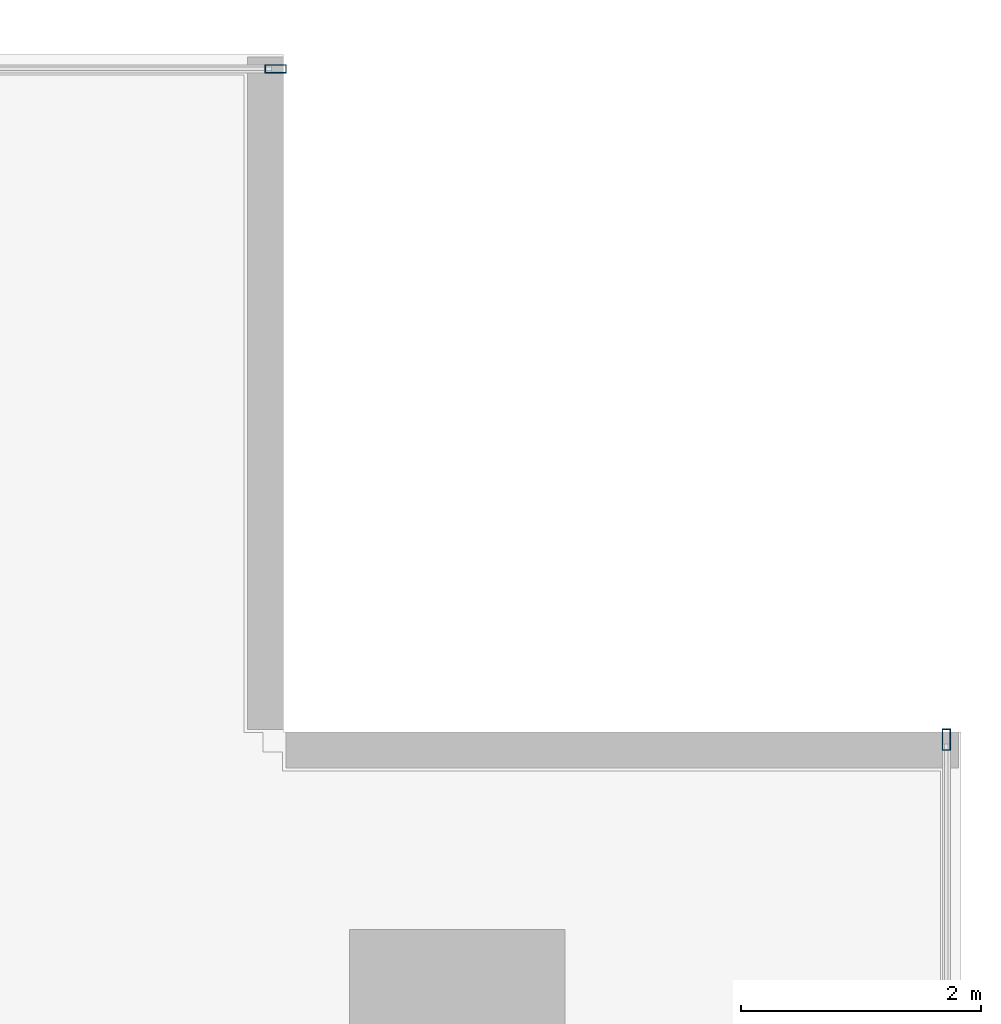
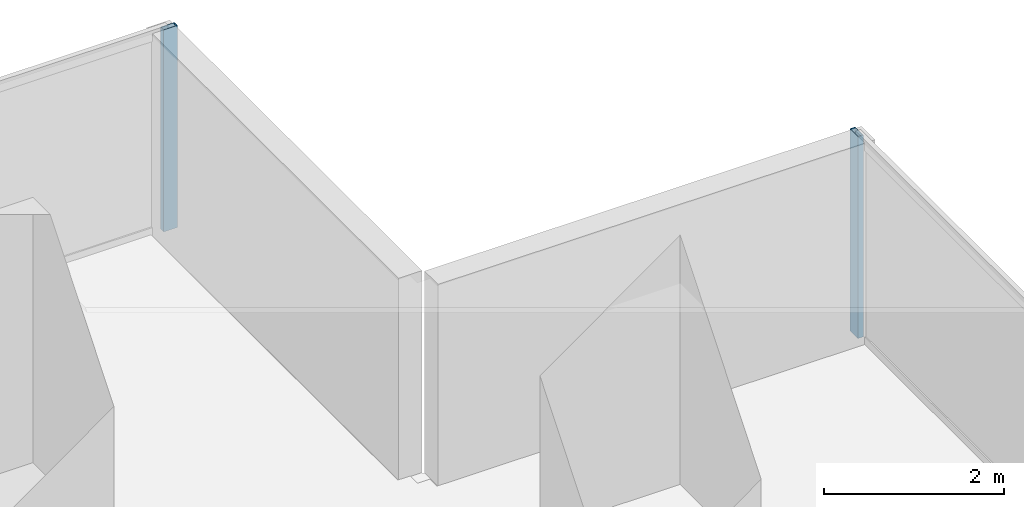
# One storey, part 23 of 34: 2 members, 2 elements without a shape of their own.
"""IFC4 building model written with IfcOpenShell, lengths in metres."""

import ifcopenshell
import ifcopenshell.guid

model = None  # the IFC model being written
_history = None  # IfcOwnerHistory: only IFC2X3 demands one
_inside = {}  # id of a spatial element -> (the spatial element, [elements in it])
_under = {}  # id of a project, library or spatial element -> (it, [spatial elements below it])
_declared = {}  # id of a project -> (the project, [libraries it declares])
_typed = {}  # id of a type object -> (the type object, [elements of that type])
_made_of = {}  # id of a material, layer set ... -> (it, [elements and type objects made of it])


def new_model(schema):
    """Start an empty IFC model of exactly this schema.

    Asked for "IFC4X3", IfcOpenShell would pick the latest addendum, in which some entities
    have other attributes; the version numbers below select the first issue.
    IFC2X3 requires an IfcOwnerHistory on every rooted entity: one is made here for all.
    """
    global model, _history
    if schema == "IFC4X3":
        model = ifcopenshell.file(schema_version=(4, 3, 0, 0))
    else:
        model = ifcopenshell.file(schema=schema)
    _inside.clear()
    _under.clear()
    _declared.clear()
    _typed.clear()
    _made_of.clear()
    _history = None
    if model.schema == "IFC2X3":
        org = make("IfcOrganization", Name="unknown")
        user = make(
            "IfcPersonAndOrganization",
            ThePerson=make("IfcPerson", FamilyName="unknown"),
            TheOrganization=org,
        )
        app = make(
            "IfcApplication",
            ApplicationDeveloper=org,
            Version="unknown",
            ApplicationFullName="unknown",
            ApplicationIdentifier="unknown",
        )
        _history = make(
            "IfcOwnerHistory",
            OwningUser=user,
            OwningApplication=app,
            ChangeAction="ADDED",
            CreationDate=0,
        )
    return model


def make(cls, **values):
    """One entity of the class cls with the attributes given. An attribute that is None is left unset."""
    return model.create_entity(
        cls, **{name: value for name, value in values.items() if value is not None}
    )


def rooted(cls, **values):
    """An entity with a GlobalId (a new one), such as an element, a storey or a relation."""
    return make(cls, GlobalId=ifcopenshell.guid.new(), OwnerHistory=_history, **values)


def si_unit(unit_type, name, prefix=None):
    """IfcSIUnit, for example si_unit("LENGTHUNIT", "METRE", prefix="MILLI")."""
    return make("IfcSIUnit", UnitType=unit_type, Prefix=prefix, Name=name)


def assignment(units):
    """IfcUnitAssignment: the units of a project."""
    return None if units is None else make("IfcUnitAssignment", Units=units)


def point(xyz):
    """IfcCartesianPoint."""
    return None if xyz is None else make("IfcCartesianPoint", Coordinates=xyz)


def direction(xyz):
    """IfcDirection."""
    return None if xyz is None else make("IfcDirection", DirectionRatios=xyz)


def frame(location, z_axis=None, x_axis=None):
    """IfcAxis2Placement3D, a coordinate frame: its origin and axes. An axis left out is left unset."""
    return make(
        "IfcAxis2Placement3D",
        Location=point(location),
        Axis=direction(z_axis),
        RefDirection=direction(x_axis),
    )


def frame_2d(location, x_axis=None):
    """IfcAxis2Placement2D, a coordinate frame in the plane: its origin and x axis."""
    return make(
        "IfcAxis2Placement2D", Location=point(location), RefDirection=direction(x_axis)
    )


def origin():
    """The frame at (0, 0, 0) with its axes left unset."""
    return frame((0.0, 0.0, 0.0))


def origin_2d():
    """The frame at (0, 0) in the plane with its x axis left unset."""
    return frame_2d((0.0, 0.0))


def place(relative_to, where):
    """IfcLocalPlacement: puts the frame where relative to a parent placement (None: the world)."""
    return make(
        "IfcLocalPlacement", PlacementRelTo=relative_to, RelativePlacement=where
    )


def context(
    kind, dimensions, precision=None, world=None, true_north=None, identifier=None
):
    """IfcGeometricRepresentationContext, for example the 3D "Model" context."""
    return make(
        "IfcGeometricRepresentationContext",
        ContextIdentifier=identifier,
        ContextType=kind,
        CoordinateSpaceDimension=dimensions,
        Precision=precision,
        WorldCoordinateSystem=world,
        TrueNorth=true_north,
    )


def subcontext(parent, identifier, kind, view, scale=None):
    """IfcGeometricRepresentationSubContext, for example "Body" below "Model"."""
    return make(
        "IfcGeometricRepresentationSubContext",
        ContextIdentifier=identifier,
        ContextType=kind,
        ParentContext=parent,
        TargetScale=scale,
        TargetView=view,
    )


def project(units=None, contexts=None):
    """IfcProject with its units and contexts."""
    return rooted(
        "IfcProject",
        Name="project",
        RepresentationContexts=contexts,
        UnitsInContext=assignment(units),
    )


def spatial(cls, under=None, at=None, **own):
    """A site, building, storey or space (cls), placed at a placement, below another one or the project."""
    s = rooted(cls, ObjectPlacement=at, **own)
    if under is not None:
        _under.setdefault(under.id(), (under, []))[1].append(s)
    return s


def profile(cls, at=None, kind="AREA", **sizes):
    """A parametric profile (cls). Its sizes go by their IFC names, for example OverallWidth=200.0."""
    return make(cls, ProfileType=kind, Position=at, **sizes)


def hollow_rectangle(**sizes):
    """IfcRectangleHollowProfileDef."""
    return profile("IfcRectangleHollowProfileDef", **sizes)


def extrude(swept, where, along, depth):
    """IfcExtrudedAreaSolid: the profile swept, set in the frame where, extruded along a direction by depth."""
    return make(
        "IfcExtrudedAreaSolid",
        SweptArea=swept,
        Position=where,
        ExtrudedDirection=direction(along),
        Depth=depth,
    )


def shape(context_of_items, identifier, shape_type, items):
    """IfcShapeRepresentation: the items that make up one representation, for example the "Body"."""
    return make(
        "IfcShapeRepresentation",
        ContextOfItems=context_of_items,
        RepresentationIdentifier=identifier,
        RepresentationType=shape_type,
        Items=items,
    )


def source(mapping_origin, context_of_items, identifier, shape_type, items):
    """IfcRepresentationMap: a shape defined once, which mapped items show again and again."""
    return make(
        "IfcRepresentationMap",
        MappingOrigin=mapping_origin,
        MappedRepresentation=shape(context_of_items, identifier, shape_type, items),
    )


def transform(
    local_origin,
    x_axis=None,
    y_axis=None,
    z_axis=None,
    scale=None,
    scale2=None,
    scale3=None,
    uniform=True,
):
    """IfcCartesianTransformationOperator3D, or its non-uniform kind. x_axis, y_axis, z_axis: its Axis1, 2, 3."""
    if uniform:
        return make(
            "IfcCartesianTransformationOperator3D",
            Axis1=direction(x_axis),
            Axis2=direction(y_axis),
            LocalOrigin=point(local_origin),
            Scale=scale,
            Axis3=direction(z_axis),
        )
    return make(
        "IfcCartesianTransformationOperator3DnonUniform",
        Axis1=direction(x_axis),
        Axis2=direction(y_axis),
        LocalOrigin=point(local_origin),
        Scale=scale,
        Axis3=direction(z_axis),
        Scale2=scale2,
        Scale3=scale3,
    )


def mapped(mapping_source, mapping_target):
    """IfcMappedItem: shows the shape of a source again, moved by a transform."""
    return make(
        "IfcMappedItem", MappingSource=mapping_source, MappingTarget=mapping_target
    )


def material(Name=None, Category=None):
    """IfcMaterial."""
    return make("IfcMaterial", Name=Name, Category=Category)


def layer(
    of_material, thickness, ventilated=None, Name=None, Category=None, Priority=None
):
    """IfcMaterialLayer: one layer of a wall or slab, of a material (None: an air gap)."""
    return make(
        "IfcMaterialLayer",
        Material=of_material,
        LayerThickness=thickness,
        IsVentilated=ventilated,
        Name=Name,
        Category=Category,
        Priority=Priority,
    )


def layer_set(layers, Name=None):
    """IfcMaterialLayerSet."""
    return make("IfcMaterialLayerSet", MaterialLayers=layers, LayerSetName=Name)


def material_profile(
    of_material, cross_section, Name=None, Category=None, Priority=None
):
    """IfcMaterialProfile: a cross section and its material."""
    return make(
        "IfcMaterialProfile",
        Name=Name,
        Material=of_material,
        Profile=cross_section,
        Priority=Priority,
        Category=Category,
    )


def profile_set(profiles, Name=None, composite=None):
    """IfcMaterialProfileSet."""
    return make(
        "IfcMaterialProfileSet",
        Name=Name,
        MaterialProfiles=profiles,
        CompositeProfile=composite,
    )


def made_of(thing, what):
    """Note that an element or type object is made of a material, layer set ...; save() writes the relation."""
    if what is not None:
        _made_of.setdefault(what.id(), (what, []))[1].append(thing)
    return thing


def type_object(cls, material=None, **own):
    """A type object (cls), such as IfcWallType, which elements share."""
    return made_of(rooted(cls, **own), material)


def element(
    cls,
    number,
    at=None,
    inside=None,
    cuts=None,
    type_object=None,
    material=None,
    context=None,
    identifier="Body",
    shape_type=None,
    held_by="IfcProductDefinitionShape",
    body=None,
    shapes=None,
    **own,
):
    """One element of the class cls, such as IfcWall. Its Tag is "e" and its number.

    at: its placement. inside: the storey or other place that contains it. cuts: it is an
    opening in that element (IfcRelVoidsElement). A single representation is given by context,
    identifier, shape_type and body (its items); several are given by shapes. held_by: the class
    of the entity that holds the representations. save() writes the other relations.
    """
    e = rooted(cls, Tag="e%d" % number, ObjectPlacement=at, **own)
    if body is not None:
        shapes = [shape(context, identifier, shape_type, body)]
    if shapes is not None:
        e.Representation = make(held_by, Representations=shapes)
    if inside is not None:
        _inside.setdefault(inside.id(), (inside, []))[1].append(e)
    if cuts is not None:
        rooted(
            "IfcRelVoidsElement", RelatingBuildingElement=cuts, RelatedOpeningElement=e
        )
    if type_object is not None:
        _typed.setdefault(type_object.id(), (type_object, []))[1].append(e)
    return made_of(e, material)


def aggregate(whole, parts):
    """IfcRelAggregates: a whole, such as a stair, and the parts it consists of."""
    return rooted("IfcRelAggregates", RelatingObject=whole, RelatedObjects=parts)


def save(model, path):
    """Write the relations noted so far, then the file.

    IfcRelAggregates (storeys below a building ...), IfcRelContainedInSpatialStructure (elements
    in a storey), IfcRelDefinesByType, IfcRelAssociatesMaterial and IfcRelDeclares: one each for
    every whole, place, type object, material and project.
    """
    for whole, parts in _under.values():
        aggregate(whole, parts)
    for where, things in _inside.values():
        rooted(
            "IfcRelContainedInSpatialStructure",
            RelatedElements=things,
            RelatingStructure=where,
        )
    for kind, things in _typed.values():
        rooted("IfcRelDefinesByType", RelatedObjects=things, RelatingType=kind)
    for what, things in _made_of.values():
        rooted("IfcRelAssociatesMaterial", RelatedObjects=things, RelatingMaterial=what)
    for by, libraries in _declared.values():
        rooted("IfcRelDeclares", RelatingContext=by, RelatedDefinitions=libraries)
    model.write(path)


model = new_model("IFC4")

# Units and contexts
model_context = context("Model", 3, precision=1e-05, world=origin(), true_north=direction((0.0, 1.0)))
body_context = subcontext(model_context, "Body", "Model", "MODEL_VIEW")
ifc_project = project(units=[si_unit("LENGTHUNIT", "METRE"), si_unit("AREAUNIT", "SQUARE_METRE"), si_unit("VOLUMEUNIT", "CUBIC_METRE"), si_unit("PLANEANGLEUNIT", "RADIAN"), si_unit("MASSUNIT", "GRAM", prefix="KILO")], contexts=[model_context])

# Site, building, storey
site_placement = place(None, origin())
site = spatial("IfcSite", under=ifc_project, at=site_placement, CompositionType="ELEMENT")
building_placement = place(site_placement, origin())
building = spatial("IfcBuilding", under=site, at=building_placement, Name="Sumidabori Civic Tower", CompositionType="ELEMENT")
storey_placement = place(building_placement, frame((0.0, 0.0, 41.60009765625)))
storey = spatial("IfcBuildingStorey", under=building, at=storey_placement, Name="L10", CompositionType="ELEMENT", Elevation=41.60009765625)

# Curtain wall, member
ifc_material = material(Name="Anodised Bronze Aluminium AW-6063-T6", Category="aluminium")
ifc_layer = layer(ifc_material, 0.179931640625, Name="Anodised Bronze Aluminium AW-6063-T6")
ifc_layer_set = layer_set([ifc_layer], Name="Anodised Bronze Aluminium AW-6063-T6")
curtain_wall_type = type_object("IfcCurtainWallType", Name="CW-SYS-2", PredefinedType="NOTDEFINED", material=ifc_layer_set)
curtain_wall_1_placement = place(storey_placement, origin())
curtain_wall_1 = element("IfcCurtainWall", 1, at=curtain_wall_1_placement, inside=storey, type_object=curtain_wall_type, Name="Curtain Wall CW:L10:R04", PredefinedType="NOTDEFINED")
ifc_material_profile = material_profile(ifc_material, hollow_rectangle(XDim=0.070068359375, YDim=0.179931640625, WallThickness=0.006103515625, at=origin_2d()), Name="ALU MULLION 180x70")
ifc_profile_set = profile_set([ifc_material_profile], Name="Anodised Bronze Aluminium AW-6063-T6")
member_type = type_object("IfcMemberType", Name="CW-MUL-180", PredefinedType="MULLION", material=ifc_profile_set)
shared_shape = source(origin(), body_context, "Body", "SweptSolid", [
    extrude(hollow_rectangle(XDim=0.070068359375, YDim=0.179931640625, WallThickness=0.006103515625, at=origin_2d()), origin(), (0.0, 0.0, 1.0), 2.739990234375),
])
member_1_placement = place(storey_placement, frame((26.8798828125, 21.284912109375, 0.0), z_axis=(0.0, 0.0, 1.0), x_axis=(-1.0, 0.0, 0.0)))
member_1 = element("IfcMember", 2, at=member_1_placement, type_object=member_type, Name="CW-2 mullion 6", PredefinedType="MULLION", context=body_context, shape_type="MappedRepresentation", body=[
    mapped(shared_shape, transform((0.0, 0.0, 0.0), x_axis=(1.0, 0.0, 0.0), y_axis=(0.0, 1.0, 0.0), z_axis=(0.0, 0.0, 1.0), scale=1.0)),
])
aggregate(curtain_wall_1, [member_1])

curtain_wall_2_placement = place(storey_placement, origin())
curtain_wall_2 = element("IfcCurtainWall", 3, at=curtain_wall_2_placement, inside=storey, type_object=curtain_wall_type, Name="Curtain Wall CW:L10:R07", PredefinedType="NOTDEFINED")
member_2_placement = place(storey_placement, frame((21.284912109375, 26.8798828125, 0.0), z_axis=(0.0, 0.0, 1.0), x_axis=(0.0, -1.0, 0.0)))
member_2 = element("IfcMember", 4, at=member_2_placement, type_object=member_type, Name="CW-2 mullion 1", PredefinedType="MULLION", context=body_context, shape_type="MappedRepresentation", body=[
    mapped(shared_shape, transform((0.0, 0.0, 0.0), x_axis=(1.0, 0.0, 0.0), y_axis=(0.0, 1.0, 0.0), z_axis=(0.0, 0.0, 1.0), scale=1.0)),
])
aggregate(curtain_wall_2, [member_2])

save(model, "model.ifc")
